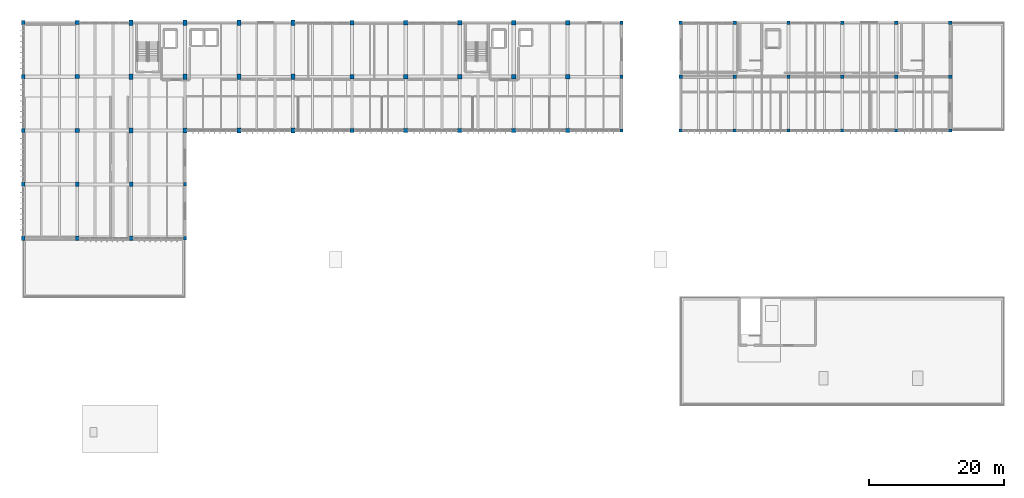
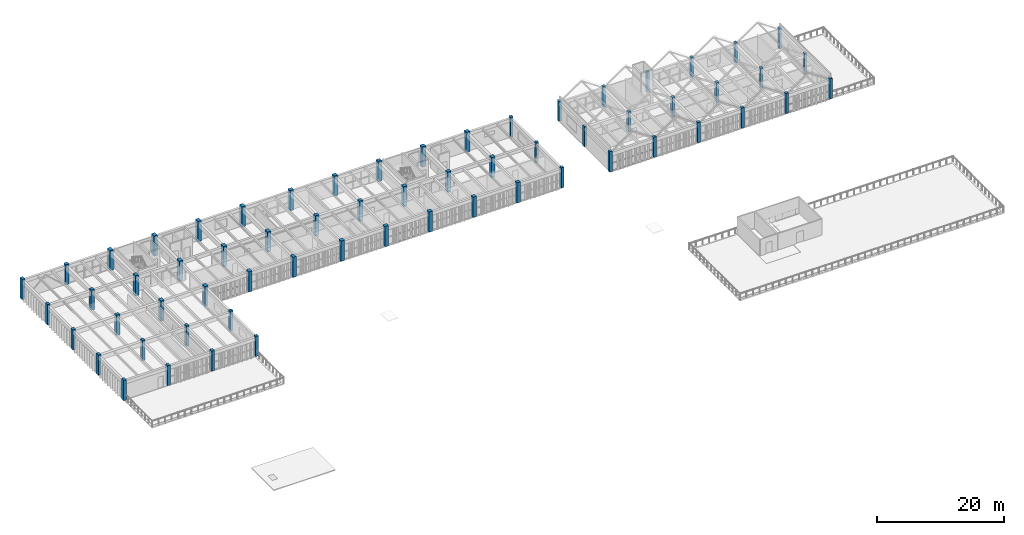
# One storey, part 1 of 31: 62 columns.
"""IFC4 building model written with IfcOpenShell, lengths in metres."""

from ifc_helpers import new_model, si_unit, direction, frame, origin, origin_2d, place, context, subcontext, project, spatial, rectangle, extrude, material, material_profile, profile_set, type_object, element, save


model = new_model("IFC4")

# Units and contexts
model_context = context("Model", 3, precision=1e-05, world=origin(), true_north=direction((0.0, 1.0)))
body_context = subcontext(model_context, "Body", "Model", "MODEL_VIEW")
ifc_project = project(units=[si_unit("LENGTHUNIT", "METRE"), si_unit("AREAUNIT", "SQUARE_METRE"), si_unit("VOLUMEUNIT", "CUBIC_METRE"), si_unit("PLANEANGLEUNIT", "RADIAN"), si_unit("MASSUNIT", "GRAM", prefix="KILO")], contexts=[model_context])

# Site, building, storey
site_placement = place(None, origin())
site = spatial("IfcSite", under=ifc_project, at=site_placement, CompositionType="ELEMENT")
building_placement = place(site_placement, origin())
building = spatial("IfcBuilding", under=site, at=building_placement, Name="Tlaxcora Railside Police Headquarters", CompositionType="ELEMENT")
storey_placement = place(building_placement, frame((0.0, 0.0, 18.0)))
storey = spatial("IfcBuildingStorey", under=building, at=storey_placement, Name="L04", CompositionType="ELEMENT", Elevation=18.0)

# Columns
ifc_material = material(Name="Concrete C40/50", Category="concrete")
ifc_material_profile_1 = material_profile(ifc_material, rectangle(XDim=0.5, YDim=0.64990234375, at=origin_2d()), Name="RC500X650")
ifc_profile_set_1 = profile_set([ifc_material_profile_1], Name="Concrete C40/50")
column_type_1 = type_object("IfcColumnType", Name="Structural Column CL-28", PredefinedType="COLUMN", material=ifc_profile_set_1)
for number, where, z_axis, x_axis, name in (
    (1, (5.199951171875, 60.800048828125, 0.0), (0.0, 0.0, 1.0), (1.0, 0.0, 0.0), "L04 column (5.2, 60.8)"),
    (2, (5.199951171875, 68.800048828125, 0.0), (0.0, 0.0, 1.0), (1.0, 0.0, 0.0), "L04 column (5.2, 68.8)"),
    (3, (5.199951171875, 76.800048828125, 0.0), (0.0, 0.0, 1.0), (1.0, 0.0, 0.0), "L04 column (5.2, 76.8)"),
    (4, (5.199951171875, 84.800048828125, 0.0), (0.0, 0.0, 1.0), (1.0, 0.0, 0.0), "L04 column (5.2, 84.8)"),
    (5, (5.199951171875, 92.800048828125, 0.0), (0.0, 0.0, 1.0), (1.0, 0.0, 0.0), "L04 column (5.2, 92.8)"),
    (6, (13.199951171875, 60.800048828125, 0.0), (0.0, 0.0, 1.0), (1.0, 0.0, 0.0), "L04 column (13.2, 60.8)"),
    (7, (13.199951171875, 68.800048828125, 0.0), (0.0, 0.0, 1.0), (1.0, 0.0, 0.0), "L04 column (13.2, 68.8)"),
    (8, (21.199951171875, 60.800048828125, 0.0), (0.0, 0.0, 1.0), (1.0, 0.0, 0.0), "L04 column (21.2, 60.8)"),
    (9, (21.199951171875, 68.800048828125, 0.0), (0.0, 0.0, 1.0), (1.0, 0.0, 0.0), "L04 column (21.2, 68.8)"),
):
    element("IfcColumn", number, at=place(storey_placement, frame(where, z_axis=z_axis, x_axis=x_axis)), inside=storey, type_object=column_type_1, Name=name, PredefinedType="COLUMN", context=body_context, shape_type="SweptSolid", body=[
        extrude(rectangle(XDim=0.5, YDim=0.64990234375, at=origin_2d()), origin(), (0.0, 0.0, 1.0), 3.89990234375),
    ])
ifc_material_profile_2 = material_profile(ifc_material, rectangle(XDim=0.60009765625, YDim=0.60009765625, at=origin_2d()), Name="RC600X600")
ifc_profile_set_2 = profile_set([ifc_material_profile_2], Name="Concrete C40/50")
column_type_2 = type_object("IfcColumnType", Name="Structural Column CL-53", PredefinedType="COLUMN", material=ifc_profile_set_2)
for number, where, z_axis, x_axis, name in (
    (10, (13.199951171875, 76.800048828125, 0.0), (0.0, 0.0, 1.0), (1.0, 0.0, 0.0), "L04 column (13.2, 76.8)"),
    (11, (13.199951171875, 84.800048828125, 0.0), (0.0, 0.0, 1.0), (1.0, 0.0, 0.0), "L04 column (13.2, 84.8)"),
    (12, (13.199951171875, 92.800048828125, 0.0), (0.0, 0.0, 1.0), (1.0, 0.0, 0.0), "L04 column (13.2, 92.8)"),
):
    element("IfcColumn", number, at=place(storey_placement, frame(where, z_axis=z_axis, x_axis=x_axis)), inside=storey, type_object=column_type_2, Name=name, PredefinedType="COLUMN", context=body_context, shape_type="SweptSolid", body=[
        extrude(rectangle(XDim=0.60009765625, YDim=0.60009765625, at=origin_2d()), origin(), (0.0, 0.0, 1.0), 3.89990234375),
    ])
ifc_material_profile_3 = material_profile(ifc_material, rectangle(XDim=0.5, YDim=0.5, at=origin_2d()), Name="RC500X500")
ifc_profile_set_3 = profile_set([ifc_material_profile_3], Name="Concrete C40/50")
column_type_3 = type_object("IfcColumnType", Name="Structural Column CL-55", PredefinedType="COLUMN", material=ifc_profile_set_3)
for number, where, z_axis, x_axis, name in (
    (13, (29.199951171875, 60.800048828125, 0.0), (0.0, 0.0, 1.0), (1.0, 0.0, 0.0), "L04 column (29.2, 60.8)"),
    (14, (29.199951171875, 68.800048828125, 0.0), (0.0, 0.0, 1.0), (1.0, 0.0, 0.0), "L04 column (29.2, 68.8)"),
    (15, (94.0, 76.800048828125, 0.0), (0.0, 0.0, 1.0), (1.0, 0.0, 0.0), "L04 column (94.0, 76.8)"),
    (16, (94.0, 84.800048828125, 0.0), (0.0, 0.0, 1.0), (1.0, 0.0, 0.0), "L04 column (94.0, 84.8)"),
    (17, (94.0, 92.800048828125, 0.0), (0.0, 0.0, 1.0), (1.0, 0.0, 0.0), "L04 column (94.0, 92.8)"),
    (18, (102.800048828125, 76.800048828125, 0.0), (0.0, 0.0, 1.0), (1.0, 0.0, 0.0), "L04 column (102.8, 76.8)"),
    (19, (102.800048828125, 84.800048828125, 0.0), (0.0, 0.0, 1.0), (1.0, 0.0, 0.0), "L04 column (102.8, 84.8)"),
    (20, (102.800048828125, 92.800048828125, 0.0), (0.0, 0.0, 1.0), (1.0, 0.0, 0.0), "L04 column (102.8, 92.8)"),
    (21, (110.800048828125, 76.800048828125, 0.0), (0.0, 0.0, 1.0), (1.0, 0.0, 0.0), "L04 column (110.8, 76.8)"),
    (22, (110.800048828125, 84.800048828125, 0.0), (0.0, 0.0, 1.0), (1.0, 0.0, 0.0), "L04 column (110.8, 84.8)"),
    (23, (110.800048828125, 92.800048828125, 0.0), (0.0, 0.0, 1.0), (1.0, 0.0, 0.0), "L04 column (110.8, 92.8)"),
    (24, (118.800048828125, 76.800048828125, 0.0), (0.0, 0.0, 1.0), (1.0, 0.0, 0.0), "L04 column (118.8, 76.8)"),
    (25, (118.800048828125, 84.800048828125, 0.0), (0.0, 0.0, 1.0), (1.0, 0.0, 0.0), "L04 column (118.8, 84.8)"),
    (26, (118.800048828125, 92.800048828125, 0.0), (0.0, 0.0, 1.0), (1.0, 0.0, 0.0), "L04 column (118.8, 92.8)"),
    (27, (126.800048828125, 76.800048828125, 0.0), (0.0, 0.0, 1.0), (1.0, 0.0, 0.0), "L04 column (126.8, 76.8)"),
    (28, (126.800048828125, 84.800048828125, 0.0), (0.0, 0.0, 1.0), (1.0, 0.0, 0.0), "L04 column (126.8, 84.8)"),
    (29, (126.800048828125, 92.800048828125, 0.0), (0.0, 0.0, 1.0), (1.0, 0.0, 0.0), "L04 column (126.8, 92.8)"),
    (30, (134.800048828125, 76.800048828125, 0.0), (0.0, 0.0, 1.0), (1.0, 0.0, 0.0), "L04 column (134.8, 76.8)"),
    (31, (134.800048828125, 84.800048828125, 0.0), (0.0, 0.0, 1.0), (1.0, 0.0, 0.0), "L04 column (134.8, 84.8)"),
    (32, (134.800048828125, 92.800048828125, 0.0), (0.0, 0.0, 1.0), (1.0, 0.0, 0.0), "L04 column (134.8, 92.8)"),
    (33, (142.800048828125, 76.800048828125, 0.0), (0.0, 0.0, 1.0), (1.0, 0.0, 0.0), "L04 column (142.8, 76.8)"),
    (34, (142.800048828125, 84.800048828125, 0.0), (0.0, 0.0, 1.0), (1.0, 0.0, 0.0), "L04 column (142.8, 84.8)"),
    (35, (142.800048828125, 92.800048828125, 0.0), (0.0, 0.0, 1.0), (1.0, 0.0, 0.0), "L04 column (142.8, 92.8)"),
):
    element("IfcColumn", number, at=place(storey_placement, frame(where, z_axis=z_axis, x_axis=x_axis)), inside=storey, type_object=column_type_3, Name=name, PredefinedType="COLUMN", context=body_context, shape_type="SweptSolid", body=[
        extrude(rectangle(XDim=0.5, YDim=0.5, at=origin_2d()), origin(), (0.0, 0.0, 1.0), 3.89990234375),
    ])
ifc_material_profile_4 = material_profile(ifc_material, rectangle(XDim=0.64990234375, YDim=0.64990234375, at=origin_2d()), Name="RC650X650")
ifc_profile_set_4 = profile_set([ifc_material_profile_4], Name="Concrete C40/50")
column_type_4 = type_object("IfcColumnType", Name="Structural Column CL-76", PredefinedType="COLUMN", material=ifc_profile_set_4)
for number, where, z_axis, x_axis, name in (
    (36, (54.0, 76.800048828125, 0.0), (0.0, 0.0, 1.0), (1.0, 0.0, 0.0), "L04 column (54.0, 76.8)"),
    (37, (54.0, 84.800048828125, 0.0), (0.0, 0.0, 1.0), (1.0, 0.0, 0.0), "L04 column (54.0, 84.8)"),
    (38, (54.0, 92.800048828125, 0.0), (0.0, 0.0, 1.0), (1.0, 0.0, 0.0), "L04 column (54.0, 92.8)"),
    (39, (62.0, 76.800048828125, 0.0), (0.0, 0.0, 1.0), (1.0, 0.0, 0.0), "L04 column (62.0, 76.8)"),
    (40, (62.0, 84.800048828125, 0.0), (0.0, 0.0, 1.0), (1.0, 0.0, 0.0), "L04 column (62.0, 84.8)"),
    (41, (62.0, 92.800048828125, 0.0), (0.0, 0.0, 1.0), (1.0, 0.0, 0.0), "L04 column (62.0, 92.8)"),
    (42, (70.0, 76.800048828125, 0.0), (0.0, 0.0, 1.0), (1.0, 0.0, 0.0), "L04 column (70.0, 76.8)"),
    (43, (70.0, 84.800048828125, 0.0), (0.0, 0.0, 1.0), (1.0, 0.0, 0.0), "L04 column (70.0, 84.8)"),
    (44, (70.0, 92.800048828125, 0.0), (0.0, 0.0, 1.0), (1.0, 0.0, 0.0), "L04 column (70.0, 92.8)"),
    (45, (78.0, 76.800048828125, 0.0), (0.0, 0.0, 1.0), (1.0, 0.0, 0.0), "L04 column (78.0, 76.8)"),
    (46, (78.0, 84.800048828125, 0.0), (0.0, 0.0, 1.0), (1.0, 0.0, 0.0), "L04 column (78.0, 84.8)"),
    (47, (78.0, 92.800048828125, 0.0), (0.0, 0.0, 1.0), (1.0, 0.0, 0.0), "L04 column (78.0, 92.8)"),
    (48, (86.0, 76.800048828125, 0.0), (0.0, 0.0, 1.0), (1.0, 0.0, 0.0), "L04 column (86.0, 76.8)"),
    (49, (86.0, 84.800048828125, 0.0), (0.0, 0.0, 1.0), (1.0, 0.0, 0.0), "L04 column (86.0, 84.8)"),
    (50, (86.0, 92.800048828125, 0.0), (0.0, 0.0, 1.0), (1.0, 0.0, 0.0), "L04 column (86.0, 92.8)"),
):
    element("IfcColumn", number, at=place(storey_placement, frame(where, z_axis=z_axis, x_axis=x_axis)), inside=storey, type_object=column_type_4, Name=name, PredefinedType="COLUMN", context=body_context, shape_type="SweptSolid", body=[
        extrude(rectangle(XDim=0.64990234375, YDim=0.64990234375, at=origin_2d()), origin(), (0.0, 0.0, 1.0), 3.89990234375),
    ])
ifc_material_profile_5 = material_profile(ifc_material, rectangle(XDim=0.60009765625, YDim=0.800048828125, at=origin_2d()), Name="RC600X800")
ifc_profile_set_5 = profile_set([ifc_material_profile_5], Name="Concrete C40/50")
column_type_5 = type_object("IfcColumnType", Name="Structural Column CL-90", PredefinedType="COLUMN", material=ifc_profile_set_5)
for number, where, z_axis, x_axis, name in (
    (51, (21.199951171875, 76.800048828125, 0.0), (0.0, 0.0, 1.0), (1.0, 0.0, 0.0), "L04 column (21.2, 76.8)"),
    (52, (21.199951171875, 84.800048828125, 0.0), (0.0, 0.0, 1.0), (1.0, 0.0, 0.0), "L04 column (21.2, 84.8)"),
    (53, (21.199951171875, 92.800048828125, 0.0), (0.0, 0.0, 1.0), (1.0, 0.0, 0.0), "L04 column (21.2, 92.8)"),
    (54, (29.199951171875, 76.800048828125, 0.0), (0.0, 0.0, 1.0), (1.0, 0.0, 0.0), "L04 column (29.2, 76.8)"),
    (55, (29.199951171875, 84.800048828125, 0.0), (0.0, 0.0, 1.0), (1.0, 0.0, 0.0), "L04 column (29.2, 84.8)"),
    (56, (29.199951171875, 92.800048828125, 0.0), (0.0, 0.0, 1.0), (1.0, 0.0, 0.0), "L04 column (29.2, 92.8)"),
    (57, (37.199951171875, 76.800048828125, 0.0), (0.0, 0.0, 1.0), (1.0, 0.0, 0.0), "L04 column (37.2, 76.8)"),
    (58, (37.199951171875, 84.800048828125, 0.0), (0.0, 0.0, 1.0), (1.0, 0.0, 0.0), "L04 column (37.2, 84.8)"),
    (59, (37.199951171875, 92.800048828125, 0.0), (0.0, 0.0, 1.0), (1.0, 0.0, 0.0), "L04 column (37.2, 92.8)"),
    (60, (45.199951171875, 76.800048828125, 0.0), (0.0, 0.0, 1.0), (1.0, 0.0, 0.0), "L04 column (45.2, 76.8)"),
    (61, (45.199951171875, 84.800048828125, 0.0), (0.0, 0.0, 1.0), (1.0, 0.0, 0.0), "L04 column (45.2, 84.8)"),
    (62, (45.199951171875, 92.800048828125, 0.0), (0.0, 0.0, 1.0), (1.0, 0.0, 0.0), "L04 column (45.2, 92.8)"),
):
    element("IfcColumn", number, at=place(storey_placement, frame(where, z_axis=z_axis, x_axis=x_axis)), inside=storey, type_object=column_type_5, Name=name, PredefinedType="COLUMN", context=body_context, shape_type="SweptSolid", body=[
        extrude(rectangle(XDim=0.60009765625, YDim=0.800048828125, at=origin_2d()), origin(), (0.0, 0.0, 1.0), 3.89990234375),
    ])

save(model, "model.ifc")
